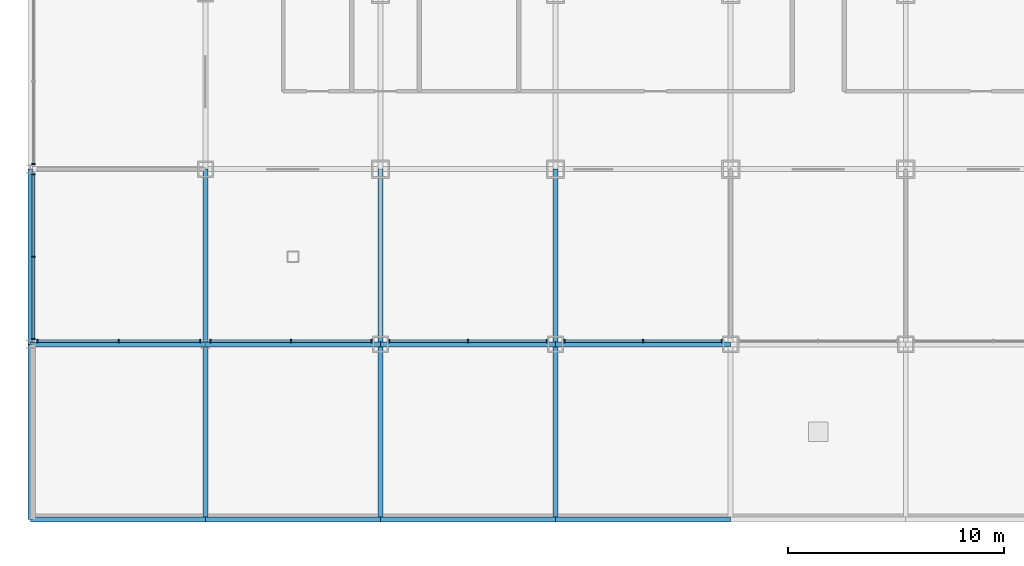
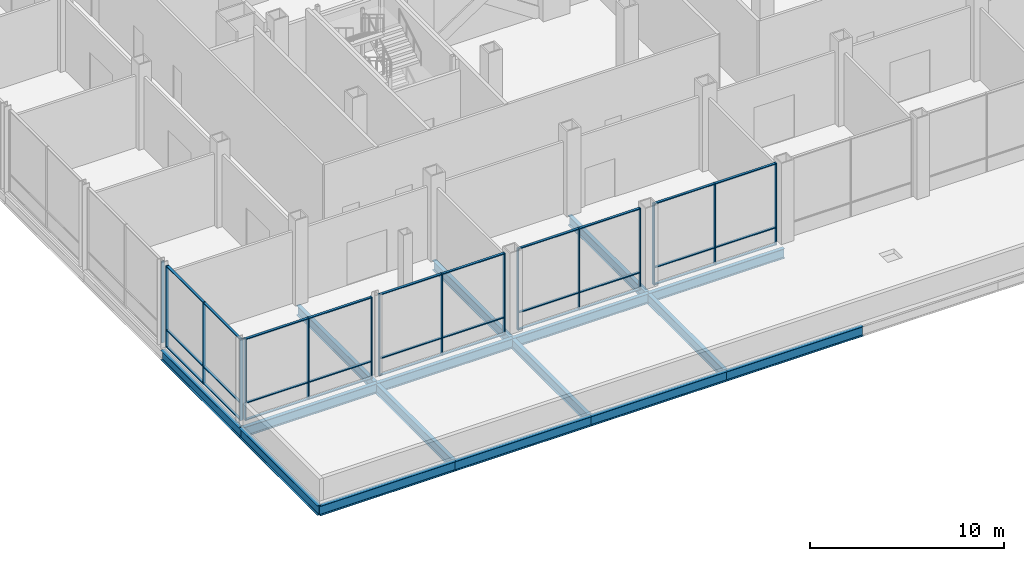
# One storey, part 9 of 29: 46 members, 16 beams, 6 elements without a shape of their own.
"""IFC4 building model written with IfcOpenShell, lengths in metres."""

from ifc_helpers import new_model, si_unit, direction, frame, origin, origin_2d, place, context, subcontext, project, spatial, rectangle, i_section, extrude, material, material_profile, profile_set, type_object, element, aggregate, save


model = new_model("IFC4")

# Units and contexts
model_context = context("Model", 3, precision=1e-05, world=origin(), true_north=direction((0.0, 1.0)))
body_context = subcontext(model_context, "Body", "Model", "MODEL_VIEW")
ifc_project = project(units=[si_unit("LENGTHUNIT", "METRE"), si_unit("AREAUNIT", "SQUARE_METRE"), si_unit("VOLUMEUNIT", "CUBIC_METRE"), si_unit("PLANEANGLEUNIT", "RADIAN"), si_unit("MASSUNIT", "GRAM", prefix="KILO")], contexts=[model_context])

# Site, building, storey
site_placement = place(None, origin())
site = spatial("IfcSite", under=ifc_project, at=site_placement, CompositionType="ELEMENT")
building_placement = place(site_placement, origin())
building = spatial("IfcBuilding", under=site, at=building_placement, Name="Kopane Lantern Tower", CompositionType="ELEMENT")
storey_placement = place(building_placement, frame((0.0, 0.0, 11.39990234375)))
storey = spatial("IfcBuildingStorey", under=building, at=storey_placement, Name="L02", CompositionType="ELEMENT", Elevation=11.39990234375)

# Beams
ifc_material_1 = material(Name="Steel S355JR", Category="steel")
ifc_material_profile_1 = material_profile(ifc_material_1, i_section(OverallWidth=0.22900390625, OverallDepth=0.6123046875, WebThickness=0.011962890625, FlangeThickness=0.01953125, FilletRadius=0.0126953125, at=origin_2d()), Name="UB 610x229x125")
ifc_profile_set_1 = profile_set([ifc_material_profile_1], Name="Steel S355JR")
beam_type = type_object("IfcBeamType", Name="GIRDER UB 610x229x125", PredefinedType="BEAM", material=ifc_profile_set_1)
for number, where, z_axis, x_axis, name in (
    (1, (-8.10009765625, -8.10009765625, -0.555908203125), (0.0, 1.0, 0.0), (-1.0, 0.0, 0.0), "Girder L02"),
    (2, (-8.10009765625, -8.10009765625, -0.555908203125), (1.0, 0.0, 0.0), (0.0, 1.0, 0.0), "Girder L02"),
    (3, (-8.10009765625, 0.0, -0.555908203125), (0.0, 1.0, 0.0), (-1.0, 0.0, 0.0), "Girder L02"),
    (4, (-8.10009765625, 0.0, -0.555908203125), (1.0, 0.0, 0.0), (0.0, 1.0, 0.0), "Girder L02"),
    (5, (0.0, -8.10009765625, -0.555908203125), (0.0, 1.0, 0.0), (-1.0, 0.0, 0.0), "Girder L02"),
    (6, (0.0, -8.10009765625, -0.555908203125), (1.0, 0.0, 0.0), (0.0, 1.0, 0.0), "Girder L02"),
    (7, (0.0, 0.0, -0.555908203125), (0.0, 1.0, 0.0), (-1.0, 0.0, 0.0), "Girder L02"),
    (8, (0.0, 0.0, -0.555908203125), (1.0, 0.0, 0.0), (0.0, 1.0, 0.0), "Girder L02"),
    (9, (8.10009765625, -8.10009765625, -0.555908203125), (0.0, 1.0, 0.0), (-1.0, 0.0, 0.0), "Girder L02"),
):
    element("IfcBeam", number, at=place(storey_placement, frame(where, z_axis=z_axis, x_axis=x_axis)), inside=storey, type_object=beam_type, Name=name, PredefinedType="BEAM", context=body_context, shape_type="SweptSolid", body=[
        extrude(i_section(OverallWidth=0.22900390625, OverallDepth=0.6123046875, WebThickness=0.011962890625, FlangeThickness=0.01953125, FilletRadius=0.0126953125, at=origin_2d()), origin(), (0.0, 0.0, 1.0), 8.10009765625),
    ])
beam_1_placement = place(storey_placement, frame((8.10009765625, -8.10009765625, -0.555908203125), z_axis=(1.0, 0.0, 0.0), x_axis=(0.0, 1.0, 0.0)))
element("IfcBeam", 10, at=beam_1_placement, inside=storey, type_object=beam_type, Name="Girder L02", PredefinedType="BEAM", context=body_context, shape_type="SweptSolid", body=[
    extrude(i_section(OverallWidth=0.22900390625, OverallDepth=0.6123046875, WebThickness=0.011962890625, FlangeThickness=0.01953125, FilletRadius=0.0126953125, at=origin_2d()), origin(), (0.0, 0.0, 1.0), 8.099853515625),
])
beam_2_placement = place(storey_placement, frame((8.10009765625, 0.0, -0.555908203125), z_axis=(0.0, 1.0, 0.0), x_axis=(-1.0, 0.0, 0.0)))
element("IfcBeam", 11, at=beam_2_placement, inside=storey, type_object=beam_type, Name="Girder L02", PredefinedType="BEAM", context=body_context, shape_type="SweptSolid", body=[
    extrude(i_section(OverallWidth=0.22900390625, OverallDepth=0.6123046875, WebThickness=0.011962890625, FlangeThickness=0.01953125, FilletRadius=0.0126953125, at=origin_2d()), origin(), (0.0, 0.0, 1.0), 8.10009765625),
])
beam_3_placement = place(storey_placement, frame((8.10009765625, 0.0, -0.555908203125), z_axis=(1.0, 0.0, 0.0), x_axis=(0.0, 1.0, 0.0)))
element("IfcBeam", 12, at=beam_3_placement, inside=storey, type_object=beam_type, Name="Girder L02", PredefinedType="BEAM", context=body_context, shape_type="SweptSolid", body=[
    extrude(i_section(OverallWidth=0.22900390625, OverallDepth=0.6123046875, WebThickness=0.011962890625, FlangeThickness=0.01953125, FilletRadius=0.0126953125, at=origin_2d()), origin(), (0.0, 0.0, 1.0), 8.099853515625),
])
for number, where, z_axis, x_axis, name in (
    (13, (16.199951171875, -8.10009765625, -0.555908203125), (0.0, 1.0, 0.0), (-1.0, 0.0, 0.0), "Girder L02"),
    (14, (16.199951171875, -8.10009765625, -0.555908203125), (1.0, 0.0, 0.0), (0.0, 1.0, 0.0), "Girder L02"),
    (15, (16.199951171875, 0.0, -0.555908203125), (0.0, 1.0, 0.0), (-1.0, 0.0, 0.0), "Girder L02"),
    (16, (16.199951171875, 0.0, -0.555908203125), (1.0, 0.0, 0.0), (0.0, 1.0, 0.0), "Girder L02"),
):
    element("IfcBeam", number, at=place(storey_placement, frame(where, z_axis=z_axis, x_axis=x_axis)), inside=storey, type_object=beam_type, Name=name, PredefinedType="BEAM", context=body_context, shape_type="SweptSolid", body=[
        extrude(i_section(OverallWidth=0.22900390625, OverallDepth=0.6123046875, WebThickness=0.011962890625, FlangeThickness=0.01953125, FilletRadius=0.0126953125, at=origin_2d()), origin(), (0.0, 0.0, 1.0), 8.10009765625),
    ])

# Curtain wall, members
ifc_material_2 = material(Name="Aluminium and clear glass", Category="aluminium")
curtain_wall_type = type_object("IfcCurtainWallType", Name="CURTAIN WALL CW2 PODIUM UPPER", PredefinedType="USERDEFINED", material=ifc_material_2)
curtain_wall_1_placement = place(storey_placement, origin())
curtain_wall_1 = element("IfcCurtainWall", 17, at=curtain_wall_1_placement, inside=storey, type_object=curtain_wall_type, Name="Curtain wall CW2 S L02", ObjectType="CURTAIN WALL", PredefinedType="USERDEFINED")
ifc_material_3 = material(Name="Aluminium", Category="aluminium")
ifc_material_profile_2 = material_profile(ifc_material_3, rectangle(XDim=0.06005859375, YDim=0.179931640625, at=origin_2d()), Name="AL 60x180")
ifc_profile_set_2 = profile_set([ifc_material_profile_2], Name="Aluminium")
member_type_1 = type_object("IfcMemberType", Name="MULLION CW2-M 60x180", PredefinedType="MULLION", material=ifc_profile_set_2)
member_1_placement = place(storey_placement, frame((-7.77001953125, 0.14990234375, 0.0), z_axis=(0.0, 0.0, 1.0), x_axis=(1.0, 0.0, 0.0)))
member_1 = element("IfcMember", 18, at=member_1_placement, type_object=member_type_1, Name="CW2 mullion 1", PredefinedType="MULLION", context=body_context, shape_type="SweptSolid", body=[
    extrude(rectangle(XDim=0.06005859375, YDim=0.179931640625, at=origin_2d()), origin(), (0.0, 0.0, 1.0), 5.150146484375),
])
member_2_placement = place(storey_placement, frame((-4.003173828125, 0.14990234375, 0.0), z_axis=(0.0, 0.0, 1.0), x_axis=(1.0, 0.0, 0.0)))
member_2 = element("IfcMember", 19, at=member_2_placement, type_object=member_type_1, Name="CW2 mullion 2", PredefinedType="MULLION", context=body_context, shape_type="SweptSolid", body=[
    extrude(rectangle(XDim=0.06005859375, YDim=0.179931640625, at=origin_2d()), origin(), (0.0, 0.0, 1.0), 5.150146484375),
])
member_3_placement = place(storey_placement, frame((-0.236572265625, 0.14990234375, 0.0), z_axis=(0.0, 0.0, 1.0), x_axis=(1.0, 0.0, 0.0)))
member_3 = element("IfcMember", 20, at=member_3_placement, type_object=member_type_1, Name="CW2 mullion 3", PredefinedType="MULLION", context=body_context, shape_type="SweptSolid", body=[
    extrude(rectangle(XDim=0.06005859375, YDim=0.179931640625, at=origin_2d()), origin(), (0.0, 0.0, 1.0), 5.150146484375),
])

curtain_wall_2_placement = place(storey_placement, origin())
curtain_wall_2 = element("IfcCurtainWall", 21, at=curtain_wall_2_placement, inside=storey, type_object=curtain_wall_type, Name="Curtain wall CW2 S L02", ObjectType="CURTAIN WALL", PredefinedType="USERDEFINED")
member_4_placement = place(storey_placement, frame((0.236572265625, 0.14990234375, 0.0), z_axis=(0.0, 0.0, 1.0), x_axis=(1.0, 0.0, 0.0)))
member_4 = element("IfcMember", 22, at=member_4_placement, type_object=member_type_1, Name="CW2 mullion 1", PredefinedType="MULLION", context=body_context, shape_type="SweptSolid", body=[
    extrude(rectangle(XDim=0.06005859375, YDim=0.179931640625, at=origin_2d()), origin(), (0.0, 0.0, 1.0), 5.150146484375),
])
member_5_placement = place(storey_placement, frame((3.963134765625, 0.14990234375, 0.0), z_axis=(0.0, 0.0, 1.0), x_axis=(1.0, 0.0, 0.0)))
member_5 = element("IfcMember", 23, at=member_5_placement, type_object=member_type_1, Name="CW2 mullion 2", PredefinedType="MULLION", context=body_context, shape_type="SweptSolid", body=[
    extrude(rectangle(XDim=0.06005859375, YDim=0.179931640625, at=origin_2d()), origin(), (0.0, 0.0, 1.0), 5.150146484375),
])
member_6_placement = place(storey_placement, frame((7.68994140625, 0.14990234375, 0.0), z_axis=(0.0, 0.0, 1.0), x_axis=(1.0, 0.0, 0.0)))
member_6 = element("IfcMember", 24, at=member_6_placement, type_object=member_type_1, Name="CW2 mullion 3", PredefinedType="MULLION", context=body_context, shape_type="SweptSolid", body=[
    extrude(rectangle(XDim=0.06005859375, YDim=0.179931640625, at=origin_2d()), origin(), (0.0, 0.0, 1.0), 5.150146484375),
])

curtain_wall_3_placement = place(storey_placement, origin())
curtain_wall_3 = element("IfcCurtainWall", 25, at=curtain_wall_3_placement, inside=storey, type_object=curtain_wall_type, Name="Curtain wall CW2 S L02", ObjectType="CURTAIN WALL", PredefinedType="USERDEFINED")
member_7_placement = place(storey_placement, frame((8.510009765625, 0.14990234375, 0.0), z_axis=(0.0, 0.0, 1.0), x_axis=(1.0, 0.0, 0.0)))
member_7 = element("IfcMember", 26, at=member_7_placement, type_object=member_type_1, Name="CW2 mullion 1", PredefinedType="MULLION", context=body_context, shape_type="SweptSolid", body=[
    extrude(rectangle(XDim=0.06005859375, YDim=0.179931640625, at=origin_2d()), origin(), (0.0, 0.0, 1.0), 5.150146484375),
])
member_8_placement = place(storey_placement, frame((12.14990234375, 0.14990234375, 0.0), z_axis=(0.0, 0.0, 1.0), x_axis=(1.0, 0.0, 0.0)))
member_8 = element("IfcMember", 27, at=member_8_placement, type_object=member_type_1, Name="CW2 mullion 2", PredefinedType="MULLION", context=body_context, shape_type="SweptSolid", body=[
    extrude(rectangle(XDim=0.06005859375, YDim=0.179931640625, at=origin_2d()), origin(), (0.0, 0.0, 1.0), 5.150146484375),
])
member_9_placement = place(storey_placement, frame((15.7900390625, 0.14990234375, 0.0), z_axis=(0.0, 0.0, 1.0), x_axis=(1.0, 0.0, 0.0)))
member_9 = element("IfcMember", 28, at=member_9_placement, type_object=member_type_1, Name="CW2 mullion 3", PredefinedType="MULLION", context=body_context, shape_type="SweptSolid", body=[
    extrude(rectangle(XDim=0.06005859375, YDim=0.179931640625, at=origin_2d()), origin(), (0.0, 0.0, 1.0), 5.150146484375),
])

curtain_wall_4_placement = place(storey_placement, origin())
curtain_wall_4 = element("IfcCurtainWall", 29, at=curtain_wall_4_placement, inside=storey, type_object=curtain_wall_type, Name="Curtain wall CW2 S L02", ObjectType="CURTAIN WALL", PredefinedType="USERDEFINED")
member_10_placement = place(storey_placement, frame((16.610107421875, 0.14990234375, 0.0), z_axis=(0.0, 0.0, 1.0), x_axis=(1.0, 0.0, 0.0)))
member_10 = element("IfcMember", 30, at=member_10_placement, type_object=member_type_1, Name="CW2 mullion 1", PredefinedType="MULLION", context=body_context, shape_type="SweptSolid", body=[
    extrude(rectangle(XDim=0.06005859375, YDim=0.179931640625, at=origin_2d()), origin(), (0.0, 0.0, 1.0), 5.150146484375),
])
member_11_placement = place(storey_placement, frame((20.25, 0.14990234375, 0.0), z_axis=(0.0, 0.0, 1.0), x_axis=(1.0, 0.0, 0.0)))
member_11 = element("IfcMember", 31, at=member_11_placement, type_object=member_type_1, Name="CW2 mullion 2", PredefinedType="MULLION", context=body_context, shape_type="SweptSolid", body=[
    extrude(rectangle(XDim=0.06005859375, YDim=0.179931640625, at=origin_2d()), origin(), (0.0, 0.0, 1.0), 5.150146484375),
])
member_12_placement = place(storey_placement, frame((23.889892578125, 0.14990234375, 0.0), z_axis=(0.0, 0.0, 1.0), x_axis=(1.0, 0.0, 0.0)))
member_12 = element("IfcMember", 32, at=member_12_placement, type_object=member_type_1, Name="CW2 mullion 3", PredefinedType="MULLION", context=body_context, shape_type="SweptSolid", body=[
    extrude(rectangle(XDim=0.06005859375, YDim=0.179931640625, at=origin_2d()), origin(), (0.0, 0.0, 1.0), 5.150146484375),
])

# Curtain wall, member
curtain_wall_5_placement = place(storey_placement, origin())
curtain_wall_5 = element("IfcCurtainWall", 33, at=curtain_wall_5_placement, inside=storey, type_object=curtain_wall_type, Name="Curtain wall CW2 W L02", ObjectType="CURTAIN WALL", PredefinedType="USERDEFINED")
member_13_placement = place(storey_placement, frame((-7.949951171875, 8.338134765625, 0.0), z_axis=(0.0, 0.0, 1.0), x_axis=(0.0, -1.0, 0.0)))
member_13 = element("IfcMember", 34, at=member_13_placement, type_object=member_type_1, Name="CW2 mullion 3", PredefinedType="MULLION", context=body_context, shape_type="SweptSolid", body=[
    extrude(rectangle(XDim=0.06005859375, YDim=0.179931640625, at=origin_2d()), origin(), (0.0, 0.0, 1.0), 5.150146484375),
])
aggregate(curtain_wall_5, [member_13])

# Curtain wall, members
curtain_wall_6_placement = place(storey_placement, origin())
curtain_wall_6 = element("IfcCurtainWall", 35, at=curtain_wall_6_placement, inside=storey, type_object=curtain_wall_type, Name="Curtain wall CW2 W L02", ObjectType="CURTAIN WALL", PredefinedType="USERDEFINED")
member_14_placement = place(storey_placement, frame((-7.949951171875, 7.86181640625, 0.0), z_axis=(0.0, 0.0, 1.0), x_axis=(0.0, -1.0, 0.0)))
member_14 = element("IfcMember", 36, at=member_14_placement, type_object=member_type_1, Name="CW2 mullion 1", PredefinedType="MULLION", context=body_context, shape_type="SweptSolid", body=[
    extrude(rectangle(XDim=0.06005859375, YDim=0.179931640625, at=origin_2d()), origin(), (0.0, 0.0, 1.0), 5.150146484375),
])
member_15_placement = place(storey_placement, frame((-7.949951171875, 4.050048828125, 0.0), z_axis=(0.0, 0.0, 1.0), x_axis=(0.0, -1.0, 0.0)))
member_15 = element("IfcMember", 37, at=member_15_placement, type_object=member_type_1, Name="CW2 mullion 2", PredefinedType="MULLION", context=body_context, shape_type="SweptSolid", body=[
    extrude(rectangle(XDim=0.06005859375, YDim=0.179931640625, at=origin_2d()), origin(), (0.0, 0.0, 1.0), 5.150146484375),
])
member_16_placement = place(storey_placement, frame((-7.949951171875, 0.23828125, 0.0), z_axis=(0.0, 0.0, 1.0), x_axis=(0.0, -1.0, 0.0)))
member_16 = element("IfcMember", 38, at=member_16_placement, type_object=member_type_1, Name="CW2 mullion 3", PredefinedType="MULLION", context=body_context, shape_type="SweptSolid", body=[
    extrude(rectangle(XDim=0.06005859375, YDim=0.179931640625, at=origin_2d()), origin(), (0.0, 0.0, 1.0), 5.150146484375),
])

# Member
ifc_material_4 = material(Name="Aluminium", Category="aluminium")
ifc_material_profile_3 = material_profile(ifc_material_4, rectangle(XDim=0.139892578125, YDim=0.06005859375, at=origin_2d()), Name="AL 140x60")
ifc_profile_set_3 = profile_set([ifc_material_profile_3], Name="Aluminium")
member_type_2 = type_object("IfcMemberType", Name="TRANSOM CW2-T 60x140", PredefinedType="USERDEFINED", material=ifc_profile_set_3)
member_17_placement = place(storey_placement, frame((-7.739990234375, 0.14990234375, 0.030029296875), z_axis=(1.0, 0.0, 0.0), x_axis=(0.0, 1.0, 0.0)))
member_17 = element("IfcMember", 39, at=member_17_placement, type_object=member_type_2, Name="CW2 transom 1.1", ObjectType="TRANSOM", PredefinedType="USERDEFINED", context=body_context, shape_type="SweptSolid", body=[
    extrude(rectangle(XDim=0.139892578125, YDim=0.06005859375, at=origin_2d()), origin(), (0.0, 0.0, 1.0), 3.706787109375),
])

member_18_placement = place(storey_placement, frame((-7.739990234375, 0.14990234375, 1.10009765625), z_axis=(1.0, 0.0, 0.0), x_axis=(0.0, 1.0, 0.0)))
member_18 = element("IfcMember", 40, at=member_18_placement, type_object=member_type_2, Name="CW2 transom 1.2", ObjectType="TRANSOM", PredefinedType="USERDEFINED", context=body_context, shape_type="SweptSolid", body=[
    extrude(rectangle(XDim=0.139892578125, YDim=0.06005859375, at=origin_2d()), origin(), (0.0, 0.0, 1.0), 3.706787109375),
])

member_19_placement = place(storey_placement, frame((-7.739990234375, 0.14990234375, 5.1201171875), z_axis=(1.0, 0.0, 0.0), x_axis=(0.0, 1.0, 0.0)))
member_19 = element("IfcMember", 41, at=member_19_placement, type_object=member_type_2, Name="CW2 transom 1.3", ObjectType="TRANSOM", PredefinedType="USERDEFINED", context=body_context, shape_type="SweptSolid", body=[
    extrude(rectangle(XDim=0.139892578125, YDim=0.06005859375, at=origin_2d()), origin(), (0.0, 0.0, 1.0), 3.706787109375),
])

member_20_placement = place(storey_placement, frame((-3.97314453125, 0.14990234375, 0.030029296875), z_axis=(1.0, 0.0, 0.0), x_axis=(0.0, 1.0, 0.0)))
member_20 = element("IfcMember", 42, at=member_20_placement, type_object=member_type_2, Name="CW2 transom 2.1", ObjectType="TRANSOM", PredefinedType="USERDEFINED", context=body_context, shape_type="SweptSolid", body=[
    extrude(rectangle(XDim=0.139892578125, YDim=0.06005859375, at=origin_2d()), origin(), (0.0, 0.0, 1.0), 3.70654296875),
])

member_21_placement = place(storey_placement, frame((-3.97314453125, 0.14990234375, 1.10009765625), z_axis=(1.0, 0.0, 0.0), x_axis=(0.0, 1.0, 0.0)))
member_21 = element("IfcMember", 43, at=member_21_placement, type_object=member_type_2, Name="CW2 transom 2.2", ObjectType="TRANSOM", PredefinedType="USERDEFINED", context=body_context, shape_type="SweptSolid", body=[
    extrude(rectangle(XDim=0.139892578125, YDim=0.06005859375, at=origin_2d()), origin(), (0.0, 0.0, 1.0), 3.70654296875),
])

member_22_placement = place(storey_placement, frame((-3.97314453125, 0.14990234375, 5.1201171875), z_axis=(1.0, 0.0, 0.0), x_axis=(0.0, 1.0, 0.0)))
member_22 = element("IfcMember", 44, at=member_22_placement, type_object=member_type_2, Name="CW2 transom 2.3", ObjectType="TRANSOM", PredefinedType="USERDEFINED", context=body_context, shape_type="SweptSolid", body=[
    extrude(rectangle(XDim=0.139892578125, YDim=0.06005859375, at=origin_2d()), origin(), (0.0, 0.0, 1.0), 3.70654296875),
])

aggregate(curtain_wall_1, [member_1, member_2, member_3, member_17, member_18, member_19, member_20, member_21, member_22])

member_23_placement = place(storey_placement, frame((0.2666015625, 0.14990234375, 0.030029296875), z_axis=(1.0, 0.0, 0.0), x_axis=(0.0, 1.0, 0.0)))
member_23 = element("IfcMember", 45, at=member_23_placement, type_object=member_type_2, Name="CW2 transom 1.1", ObjectType="TRANSOM", PredefinedType="USERDEFINED", context=body_context, shape_type="SweptSolid", body=[
    extrude(rectangle(XDim=0.139892578125, YDim=0.06005859375, at=origin_2d()), origin(), (0.0, 0.0, 1.0), 3.666748046875),
])

member_24_placement = place(storey_placement, frame((0.2666015625, 0.14990234375, 1.10009765625), z_axis=(1.0, 0.0, 0.0), x_axis=(0.0, 1.0, 0.0)))
member_24 = element("IfcMember", 46, at=member_24_placement, type_object=member_type_2, Name="CW2 transom 1.2", ObjectType="TRANSOM", PredefinedType="USERDEFINED", context=body_context, shape_type="SweptSolid", body=[
    extrude(rectangle(XDim=0.139892578125, YDim=0.06005859375, at=origin_2d()), origin(), (0.0, 0.0, 1.0), 3.666748046875),
])

member_25_placement = place(storey_placement, frame((0.2666015625, 0.14990234375, 5.1201171875), z_axis=(1.0, 0.0, 0.0), x_axis=(0.0, 1.0, 0.0)))
member_25 = element("IfcMember", 47, at=member_25_placement, type_object=member_type_2, Name="CW2 transom 1.3", ObjectType="TRANSOM", PredefinedType="USERDEFINED", context=body_context, shape_type="SweptSolid", body=[
    extrude(rectangle(XDim=0.139892578125, YDim=0.06005859375, at=origin_2d()), origin(), (0.0, 0.0, 1.0), 3.666748046875),
])

member_26_placement = place(storey_placement, frame((3.9931640625, 0.14990234375, 0.030029296875), z_axis=(1.0, 0.0, 0.0), x_axis=(0.0, 1.0, 0.0)))
member_26 = element("IfcMember", 48, at=member_26_placement, type_object=member_type_2, Name="CW2 transom 2.1", ObjectType="TRANSOM", PredefinedType="USERDEFINED", context=body_context, shape_type="SweptSolid", body=[
    extrude(rectangle(XDim=0.139892578125, YDim=0.06005859375, at=origin_2d()), origin(), (0.0, 0.0, 1.0), 3.666748046875),
])

member_27_placement = place(storey_placement, frame((3.9931640625, 0.14990234375, 1.10009765625), z_axis=(1.0, 0.0, 0.0), x_axis=(0.0, 1.0, 0.0)))
member_27 = element("IfcMember", 49, at=member_27_placement, type_object=member_type_2, Name="CW2 transom 2.2", ObjectType="TRANSOM", PredefinedType="USERDEFINED", context=body_context, shape_type="SweptSolid", body=[
    extrude(rectangle(XDim=0.139892578125, YDim=0.06005859375, at=origin_2d()), origin(), (0.0, 0.0, 1.0), 3.666748046875),
])

member_28_placement = place(storey_placement, frame((3.9931640625, 0.14990234375, 5.1201171875), z_axis=(1.0, 0.0, 0.0), x_axis=(0.0, 1.0, 0.0)))
member_28 = element("IfcMember", 50, at=member_28_placement, type_object=member_type_2, Name="CW2 transom 2.3", ObjectType="TRANSOM", PredefinedType="USERDEFINED", context=body_context, shape_type="SweptSolid", body=[
    extrude(rectangle(XDim=0.139892578125, YDim=0.06005859375, at=origin_2d()), origin(), (0.0, 0.0, 1.0), 3.666748046875),
])

aggregate(curtain_wall_2, [member_4, member_5, member_6, member_23, member_24, member_25, member_26, member_27, member_28])

member_29_placement = place(storey_placement, frame((8.5400390625, 0.14990234375, 0.030029296875), z_axis=(1.0, 0.0, 0.0), x_axis=(0.0, 1.0, 0.0)))
member_29 = element("IfcMember", 51, at=member_29_placement, type_object=member_type_2, Name="CW2 transom 1.1", ObjectType="TRANSOM", PredefinedType="USERDEFINED", context=body_context, shape_type="SweptSolid", body=[
    extrude(rectangle(XDim=0.139892578125, YDim=0.06005859375, at=origin_2d()), origin(), (0.0, 0.0, 1.0), 3.580078125),
])

member_30_placement = place(storey_placement, frame((8.5400390625, 0.14990234375, 1.10009765625), z_axis=(1.0, 0.0, 0.0), x_axis=(0.0, 1.0, 0.0)))
member_30 = element("IfcMember", 52, at=member_30_placement, type_object=member_type_2, Name="CW2 transom 1.2", ObjectType="TRANSOM", PredefinedType="USERDEFINED", context=body_context, shape_type="SweptSolid", body=[
    extrude(rectangle(XDim=0.139892578125, YDim=0.06005859375, at=origin_2d()), origin(), (0.0, 0.0, 1.0), 3.580078125),
])

member_31_placement = place(storey_placement, frame((8.5400390625, 0.14990234375, 5.1201171875), z_axis=(1.0, 0.0, 0.0), x_axis=(0.0, 1.0, 0.0)))
member_31 = element("IfcMember", 53, at=member_31_placement, type_object=member_type_2, Name="CW2 transom 1.3", ObjectType="TRANSOM", PredefinedType="USERDEFINED", context=body_context, shape_type="SweptSolid", body=[
    extrude(rectangle(XDim=0.139892578125, YDim=0.06005859375, at=origin_2d()), origin(), (0.0, 0.0, 1.0), 3.580078125),
])

member_32_placement = place(storey_placement, frame((12.179931640625, 0.14990234375, 0.030029296875), z_axis=(1.0, 0.0, 0.0), x_axis=(0.0, 1.0, 0.0)))
member_32 = element("IfcMember", 54, at=member_32_placement, type_object=member_type_2, Name="CW2 transom 2.1", ObjectType="TRANSOM", PredefinedType="USERDEFINED", context=body_context, shape_type="SweptSolid", body=[
    extrude(rectangle(XDim=0.139892578125, YDim=0.06005859375, at=origin_2d()), origin(), (0.0, 0.0, 1.0), 3.580078125),
])

member_33_placement = place(storey_placement, frame((12.179931640625, 0.14990234375, 1.10009765625), z_axis=(1.0, 0.0, 0.0), x_axis=(0.0, 1.0, 0.0)))
member_33 = element("IfcMember", 55, at=member_33_placement, type_object=member_type_2, Name="CW2 transom 2.2", ObjectType="TRANSOM", PredefinedType="USERDEFINED", context=body_context, shape_type="SweptSolid", body=[
    extrude(rectangle(XDim=0.139892578125, YDim=0.06005859375, at=origin_2d()), origin(), (0.0, 0.0, 1.0), 3.580078125),
])

member_34_placement = place(storey_placement, frame((12.179931640625, 0.14990234375, 5.1201171875), z_axis=(1.0, 0.0, 0.0), x_axis=(0.0, 1.0, 0.0)))
member_34 = element("IfcMember", 56, at=member_34_placement, type_object=member_type_2, Name="CW2 transom 2.3", ObjectType="TRANSOM", PredefinedType="USERDEFINED", context=body_context, shape_type="SweptSolid", body=[
    extrude(rectangle(XDim=0.139892578125, YDim=0.06005859375, at=origin_2d()), origin(), (0.0, 0.0, 1.0), 3.580078125),
])

aggregate(curtain_wall_3, [member_7, member_8, member_9, member_29, member_30, member_31, member_32, member_33, member_34])

member_35_placement = place(storey_placement, frame((16.639892578125, 0.14990234375, 0.030029296875), z_axis=(1.0, 0.0, 0.0), x_axis=(0.0, 1.0, 0.0)))
member_35 = element("IfcMember", 57, at=member_35_placement, type_object=member_type_2, Name="CW2 transom 1.1", ObjectType="TRANSOM", PredefinedType="USERDEFINED", context=body_context, shape_type="SweptSolid", body=[
    extrude(rectangle(XDim=0.139892578125, YDim=0.06005859375, at=origin_2d()), origin(), (0.0, 0.0, 1.0), 3.580078125),
])

member_36_placement = place(storey_placement, frame((16.639892578125, 0.14990234375, 1.10009765625), z_axis=(1.0, 0.0, 0.0), x_axis=(0.0, 1.0, 0.0)))
member_36 = element("IfcMember", 58, at=member_36_placement, type_object=member_type_2, Name="CW2 transom 1.2", ObjectType="TRANSOM", PredefinedType="USERDEFINED", context=body_context, shape_type="SweptSolid", body=[
    extrude(rectangle(XDim=0.139892578125, YDim=0.06005859375, at=origin_2d()), origin(), (0.0, 0.0, 1.0), 3.580078125),
])

member_37_placement = place(storey_placement, frame((16.639892578125, 0.14990234375, 5.1201171875), z_axis=(1.0, 0.0, 0.0), x_axis=(0.0, 1.0, 0.0)))
member_37 = element("IfcMember", 59, at=member_37_placement, type_object=member_type_2, Name="CW2 transom 1.3", ObjectType="TRANSOM", PredefinedType="USERDEFINED", context=body_context, shape_type="SweptSolid", body=[
    extrude(rectangle(XDim=0.139892578125, YDim=0.06005859375, at=origin_2d()), origin(), (0.0, 0.0, 1.0), 3.580078125),
])

member_38_placement = place(storey_placement, frame((20.280029296875, 0.14990234375, 0.030029296875), z_axis=(1.0, 0.0, 0.0), x_axis=(0.0, 1.0, 0.0)))
member_38 = element("IfcMember", 60, at=member_38_placement, type_object=member_type_2, Name="CW2 transom 2.1", ObjectType="TRANSOM", PredefinedType="USERDEFINED", context=body_context, shape_type="SweptSolid", body=[
    extrude(rectangle(XDim=0.139892578125, YDim=0.06005859375, at=origin_2d()), origin(), (0.0, 0.0, 1.0), 3.580078125),
])

member_39_placement = place(storey_placement, frame((20.280029296875, 0.14990234375, 1.10009765625), z_axis=(1.0, 0.0, 0.0), x_axis=(0.0, 1.0, 0.0)))
member_39 = element("IfcMember", 61, at=member_39_placement, type_object=member_type_2, Name="CW2 transom 2.2", ObjectType="TRANSOM", PredefinedType="USERDEFINED", context=body_context, shape_type="SweptSolid", body=[
    extrude(rectangle(XDim=0.139892578125, YDim=0.06005859375, at=origin_2d()), origin(), (0.0, 0.0, 1.0), 3.580078125),
])

member_40_placement = place(storey_placement, frame((20.280029296875, 0.14990234375, 5.1201171875), z_axis=(1.0, 0.0, 0.0), x_axis=(0.0, 1.0, 0.0)))
member_40 = element("IfcMember", 62, at=member_40_placement, type_object=member_type_2, Name="CW2 transom 2.3", ObjectType="TRANSOM", PredefinedType="USERDEFINED", context=body_context, shape_type="SweptSolid", body=[
    extrude(rectangle(XDim=0.139892578125, YDim=0.06005859375, at=origin_2d()), origin(), (0.0, 0.0, 1.0), 3.580078125),
])

aggregate(curtain_wall_4, [member_10, member_11, member_12, member_35, member_36, member_37, member_38, member_39, member_40])

member_41_placement = place(storey_placement, frame((-7.949951171875, 7.831787109375, 0.030029296875), z_axis=(0.0, -1.0, 0.0), x_axis=(1.0, 0.0, 0.0)))
member_41 = element("IfcMember", 63, at=member_41_placement, type_object=member_type_2, Name="CW2 transom 1.1", ObjectType="TRANSOM", PredefinedType="USERDEFINED", context=body_context, shape_type="SweptSolid", body=[
    extrude(rectangle(XDim=0.139892578125, YDim=0.06005859375, at=origin_2d()), origin(), (0.0, 0.0, 1.0), 3.751708984375),
])

member_42_placement = place(storey_placement, frame((-7.949951171875, 7.831787109375, 1.10009765625), z_axis=(0.0, -1.0, 0.0), x_axis=(1.0, 0.0, 0.0)))
member_42 = element("IfcMember", 64, at=member_42_placement, type_object=member_type_2, Name="CW2 transom 1.2", ObjectType="TRANSOM", PredefinedType="USERDEFINED", context=body_context, shape_type="SweptSolid", body=[
    extrude(rectangle(XDim=0.139892578125, YDim=0.06005859375, at=origin_2d()), origin(), (0.0, 0.0, 1.0), 3.751708984375),
])

member_43_placement = place(storey_placement, frame((-7.949951171875, 7.831787109375, 5.1201171875), z_axis=(0.0, -1.0, 0.0), x_axis=(1.0, 0.0, 0.0)))
member_43 = element("IfcMember", 65, at=member_43_placement, type_object=member_type_2, Name="CW2 transom 1.3", ObjectType="TRANSOM", PredefinedType="USERDEFINED", context=body_context, shape_type="SweptSolid", body=[
    extrude(rectangle(XDim=0.139892578125, YDim=0.06005859375, at=origin_2d()), origin(), (0.0, 0.0, 1.0), 3.751708984375),
])

member_44_placement = place(storey_placement, frame((-7.949951171875, 4.02001953125, 0.030029296875), z_axis=(0.0, -1.0, 0.0), x_axis=(1.0, 0.0, 0.0)))
member_44 = element("IfcMember", 66, at=member_44_placement, type_object=member_type_2, Name="CW2 transom 2.1", ObjectType="TRANSOM", PredefinedType="USERDEFINED", context=body_context, shape_type="SweptSolid", body=[
    extrude(rectangle(XDim=0.139892578125, YDim=0.06005859375, at=origin_2d()), origin(), (0.0, 0.0, 1.0), 3.751708984375),
])

member_45_placement = place(storey_placement, frame((-7.949951171875, 4.02001953125, 1.10009765625), z_axis=(0.0, -1.0, 0.0), x_axis=(1.0, 0.0, 0.0)))
member_45 = element("IfcMember", 67, at=member_45_placement, type_object=member_type_2, Name="CW2 transom 2.2", ObjectType="TRANSOM", PredefinedType="USERDEFINED", context=body_context, shape_type="SweptSolid", body=[
    extrude(rectangle(XDim=0.139892578125, YDim=0.06005859375, at=origin_2d()), origin(), (0.0, 0.0, 1.0), 3.751708984375),
])

member_46_placement = place(storey_placement, frame((-7.949951171875, 4.02001953125, 5.1201171875), z_axis=(0.0, -1.0, 0.0), x_axis=(1.0, 0.0, 0.0)))
member_46 = element("IfcMember", 68, at=member_46_placement, type_object=member_type_2, Name="CW2 transom 2.3", ObjectType="TRANSOM", PredefinedType="USERDEFINED", context=body_context, shape_type="SweptSolid", body=[
    extrude(rectangle(XDim=0.139892578125, YDim=0.06005859375, at=origin_2d()), origin(), (0.0, 0.0, 1.0), 3.751708984375),
])

aggregate(curtain_wall_6, [member_14, member_15, member_16, member_41, member_42, member_43, member_44, member_45, member_46])

save(model, "model.ifc")
